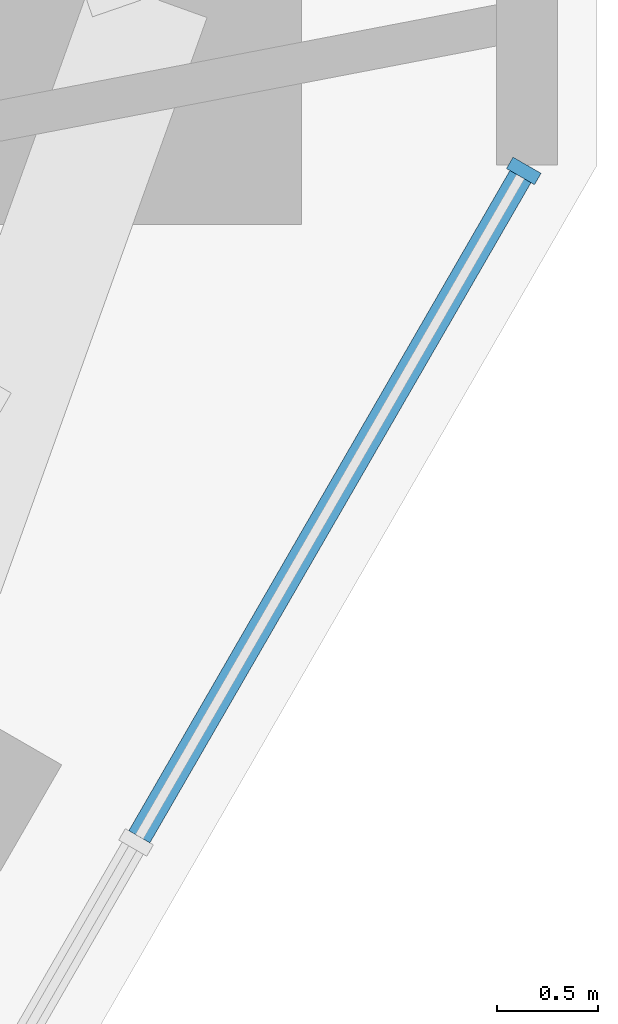
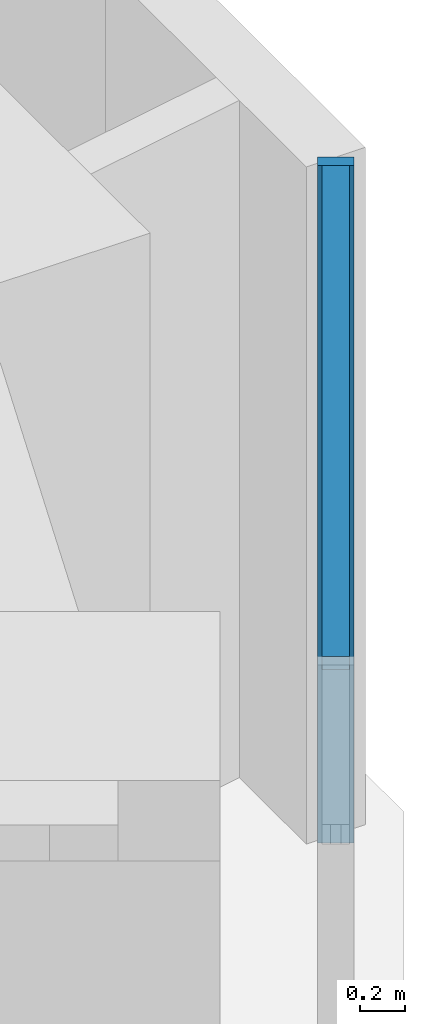
# One storey, part 6 of 17: 2 members, 1 element without a shape of its own.
"""IFC4 building model written with IfcOpenShell, lengths in metres."""

from ifc_helpers import new_model, si_unit, direction, frame, origin, origin_2d, place, context, subcontext, project, spatial, rectangle, extrude, material, material_profile, profile_set, type_object, element, aggregate, save


model = new_model("IFC4")

# Units and contexts
model_context = context("Model", 3, precision=1e-05, world=origin(), true_north=direction((0.0, 1.0)))
body_context = subcontext(model_context, "Body", "Model", "MODEL_VIEW")
ifc_project = project(units=[si_unit("LENGTHUNIT", "METRE"), si_unit("AREAUNIT", "SQUARE_METRE"), si_unit("VOLUMEUNIT", "CUBIC_METRE"), si_unit("PLANEANGLEUNIT", "RADIAN"), si_unit("MASSUNIT", "GRAM", prefix="KILO")], contexts=[model_context])

# Site, building, storey
site_placement = place(None, origin())
site = spatial("IfcSite", under=ifc_project, at=site_placement, CompositionType="ELEMENT")
building_placement = place(site_placement, origin())
building = spatial("IfcBuilding", under=site, at=building_placement, Name="Sandreach Pilgrim Tower", CompositionType="ELEMENT")
storey_placement = place(building_placement, frame((0.0, 0.0, 194.60009765625)))
storey = spatial("IfcBuildingStorey", under=building, at=storey_placement, Name="L48", CompositionType="ELEMENT", Elevation=194.60009765625)

# Curtain wall, members
ifc_material_1 = material(Name="Aluminium framed curtain wall", Category="aluminium")
curtain_wall_type = type_object("IfcCurtainWallType", Name="Upper hotel tower curtain wall", PredefinedType="NOTDEFINED", material=ifc_material_1)
curtain_wall_placement = place(storey_placement, origin())
curtain_wall = element("IfcCurtainWall", 1, at=curtain_wall_placement, inside=storey, type_object=curtain_wall_type, Name="CW-3 L48 SE", PredefinedType="NOTDEFINED")
ifc_material_2 = material(Name="Aluminium extrusion", Category="aluminium")
ifc_material_profile_1 = material_profile(ifc_material_2, rectangle(XDim=0.06494140625, YDim=0.159912109375, at=origin_2d()), Name="CW-3M 65X160")
ifc_profile_set_1 = profile_set([ifc_material_profile_1], Name="Aluminium extrusion")
member_type_1 = type_object("IfcMemberType", Name="CW-3 mullion", PredefinedType="MULLION", material=ifc_profile_set_1)
member_1_placement = place(storey_placement, frame((27.00390625, 4.451904296875, 0.0), z_axis=(0.0, 0.0, 1.0), x_axis=(-0.5, -0.866025403784, 0.0)))
member_1 = element("IfcMember", 2, at=member_1_placement, type_object=member_type_1, Name="CW-3 mullion 1", PredefinedType="MULLION", context=body_context, shape_type="SweptSolid", body=[
    extrude(rectangle(XDim=0.06494140625, YDim=0.159912109375, at=origin_2d()), origin(), (0.0, 0.0, 1.0), 3.639892578125),
])
ifc_material_3 = material(Name="Aluminium extrusion", Category="aluminium")
ifc_material_profile_2 = material_profile(ifc_material_3, rectangle(XDim=0.1201171875, YDim=0.070068359375, at=origin_2d()), Name="CW-3T 120X70")
ifc_profile_set_2 = profile_set([ifc_material_profile_2], Name="Aluminium extrusion")
member_type_2 = type_object("IfcMemberType", Name="CW-3 transom", PredefinedType="USERDEFINED", material=ifc_profile_set_2)
member_2_placement = place(storey_placement, frame((26.987548828125, 4.423828125, 3.60498046875), z_axis=(-0.499944992379, -0.86605716012, 0.0), x_axis=(0.86605716012, -0.499944992379, 0.0)))
member_2 = element("IfcMember", 3, at=member_2_placement, type_object=member_type_2, Name="CW-3 head transom 1", ObjectType="TRANSOM", PredefinedType="USERDEFINED", context=body_context, shape_type="SweptSolid", body=[
    extrude(rectangle(XDim=0.1201171875, YDim=0.070068359375, at=origin_2d()), origin(), (0.0, 0.0, 1.0), 3.76708984375),
])
aggregate(curtain_wall, [member_1, member_2])

save(model, "model.ifc")
